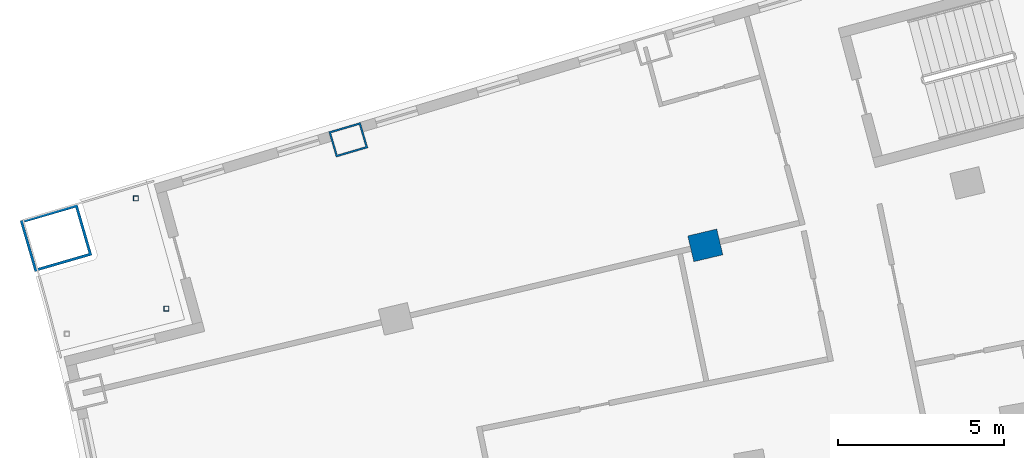
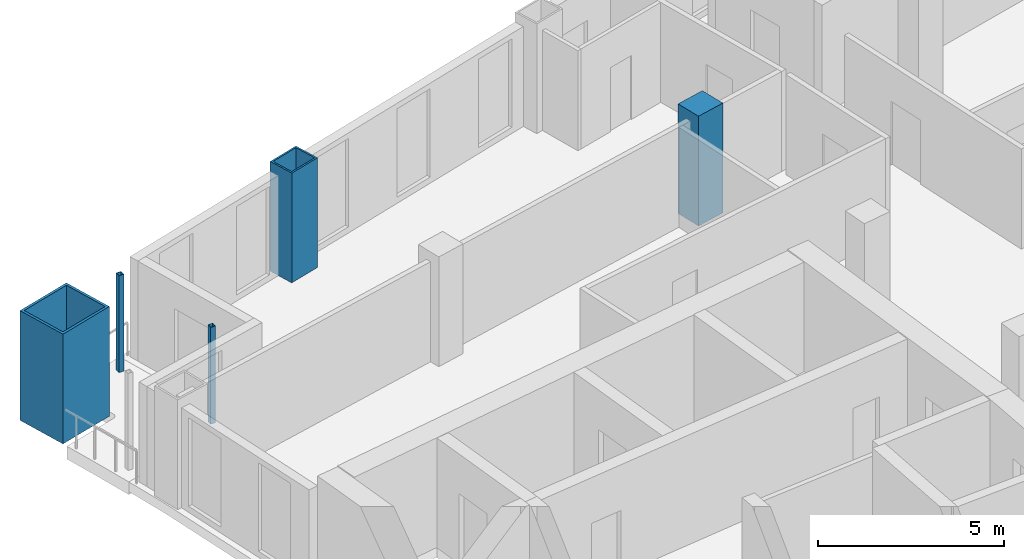
# One storey, part 7 of 20: 5 columns.
"""IFC4 building model written with IfcOpenShell, lengths in metres."""

import ifcopenshell
import ifcopenshell.guid

model = None  # the IFC model being written
_history = None  # IfcOwnerHistory: only IFC2X3 demands one
_inside = {}  # id of a spatial element -> (the spatial element, [elements in it])
_under = {}  # id of a project, library or spatial element -> (it, [spatial elements below it])
_declared = {}  # id of a project -> (the project, [libraries it declares])
_typed = {}  # id of a type object -> (the type object, [elements of that type])
_made_of = {}  # id of a material, layer set ... -> (it, [elements and type objects made of it])


def new_model(schema):
    """Start an empty IFC model of exactly this schema.

    Asked for "IFC4X3", IfcOpenShell would pick the latest addendum, in which some entities
    have other attributes; the version numbers below select the first issue.
    IFC2X3 requires an IfcOwnerHistory on every rooted entity: one is made here for all.
    """
    global model, _history
    if schema == "IFC4X3":
        model = ifcopenshell.file(schema_version=(4, 3, 0, 0))
    else:
        model = ifcopenshell.file(schema=schema)
    _inside.clear()
    _under.clear()
    _declared.clear()
    _typed.clear()
    _made_of.clear()
    _history = None
    if model.schema == "IFC2X3":
        org = make("IfcOrganization", Name="unknown")
        user = make(
            "IfcPersonAndOrganization",
            ThePerson=make("IfcPerson", FamilyName="unknown"),
            TheOrganization=org,
        )
        app = make(
            "IfcApplication",
            ApplicationDeveloper=org,
            Version="unknown",
            ApplicationFullName="unknown",
            ApplicationIdentifier="unknown",
        )
        _history = make(
            "IfcOwnerHistory",
            OwningUser=user,
            OwningApplication=app,
            ChangeAction="ADDED",
            CreationDate=0,
        )
    return model


def make(cls, **values):
    """One entity of the class cls with the attributes given. An attribute that is None is left unset."""
    return model.create_entity(
        cls, **{name: value for name, value in values.items() if value is not None}
    )


def rooted(cls, **values):
    """An entity with a GlobalId (a new one), such as an element, a storey or a relation."""
    return make(cls, GlobalId=ifcopenshell.guid.new(), OwnerHistory=_history, **values)


def si_unit(unit_type, name, prefix=None):
    """IfcSIUnit, for example si_unit("LENGTHUNIT", "METRE", prefix="MILLI")."""
    return make("IfcSIUnit", UnitType=unit_type, Prefix=prefix, Name=name)


def assignment(units):
    """IfcUnitAssignment: the units of a project."""
    return None if units is None else make("IfcUnitAssignment", Units=units)


def point(xyz):
    """IfcCartesianPoint."""
    return None if xyz is None else make("IfcCartesianPoint", Coordinates=xyz)


def direction(xyz):
    """IfcDirection."""
    return None if xyz is None else make("IfcDirection", DirectionRatios=xyz)


def frame(location, z_axis=None, x_axis=None):
    """IfcAxis2Placement3D, a coordinate frame: its origin and axes. An axis left out is left unset."""
    return make(
        "IfcAxis2Placement3D",
        Location=point(location),
        Axis=direction(z_axis),
        RefDirection=direction(x_axis),
    )


def frame_2d(location, x_axis=None):
    """IfcAxis2Placement2D, a coordinate frame in the plane: its origin and x axis."""
    return make(
        "IfcAxis2Placement2D", Location=point(location), RefDirection=direction(x_axis)
    )


def origin():
    """The frame at (0, 0, 0) with its axes left unset."""
    return frame((0.0, 0.0, 0.0))


def origin_2d():
    """The frame at (0, 0) in the plane with its x axis left unset."""
    return frame_2d((0.0, 0.0))


def place(relative_to, where):
    """IfcLocalPlacement: puts the frame where relative to a parent placement (None: the world)."""
    return make(
        "IfcLocalPlacement", PlacementRelTo=relative_to, RelativePlacement=where
    )


def context(
    kind, dimensions, precision=None, world=None, true_north=None, identifier=None
):
    """IfcGeometricRepresentationContext, for example the 3D "Model" context."""
    return make(
        "IfcGeometricRepresentationContext",
        ContextIdentifier=identifier,
        ContextType=kind,
        CoordinateSpaceDimension=dimensions,
        Precision=precision,
        WorldCoordinateSystem=world,
        TrueNorth=true_north,
    )


def subcontext(parent, identifier, kind, view, scale=None):
    """IfcGeometricRepresentationSubContext, for example "Body" below "Model"."""
    return make(
        "IfcGeometricRepresentationSubContext",
        ContextIdentifier=identifier,
        ContextType=kind,
        ParentContext=parent,
        TargetScale=scale,
        TargetView=view,
    )


def project(units=None, contexts=None):
    """IfcProject with its units and contexts."""
    return rooted(
        "IfcProject",
        Name="project",
        RepresentationContexts=contexts,
        UnitsInContext=assignment(units),
    )


def spatial(cls, under=None, at=None, **own):
    """A site, building, storey or space (cls), placed at a placement, below another one or the project."""
    s = rooted(cls, ObjectPlacement=at, **own)
    if under is not None:
        _under.setdefault(under.id(), (under, []))[1].append(s)
    return s


def profile(cls, at=None, kind="AREA", **sizes):
    """A parametric profile (cls). Its sizes go by their IFC names, for example OverallWidth=200.0."""
    return make(cls, ProfileType=kind, Position=at, **sizes)


def rectangle(**sizes):
    """IfcRectangleProfileDef."""
    return profile("IfcRectangleProfileDef", **sizes)


def hollow_rectangle(**sizes):
    """IfcRectangleHollowProfileDef."""
    return profile("IfcRectangleHollowProfileDef", **sizes)


def extrude(swept, where, along, depth):
    """IfcExtrudedAreaSolid: the profile swept, set in the frame where, extruded along a direction by depth."""
    return make(
        "IfcExtrudedAreaSolid",
        SweptArea=swept,
        Position=where,
        ExtrudedDirection=direction(along),
        Depth=depth,
    )


def shape(context_of_items, identifier, shape_type, items):
    """IfcShapeRepresentation: the items that make up one representation, for example the "Body"."""
    return make(
        "IfcShapeRepresentation",
        ContextOfItems=context_of_items,
        RepresentationIdentifier=identifier,
        RepresentationType=shape_type,
        Items=items,
    )


def material(Name=None, Category=None):
    """IfcMaterial."""
    return make("IfcMaterial", Name=Name, Category=Category)


def material_profile(
    of_material, cross_section, Name=None, Category=None, Priority=None
):
    """IfcMaterialProfile: a cross section and its material."""
    return make(
        "IfcMaterialProfile",
        Name=Name,
        Material=of_material,
        Profile=cross_section,
        Priority=Priority,
        Category=Category,
    )


def profile_set(profiles, Name=None, composite=None):
    """IfcMaterialProfileSet."""
    return make(
        "IfcMaterialProfileSet",
        Name=Name,
        MaterialProfiles=profiles,
        CompositeProfile=composite,
    )


def made_of(thing, what):
    """Note that an element or type object is made of a material, layer set ...; save() writes the relation."""
    if what is not None:
        _made_of.setdefault(what.id(), (what, []))[1].append(thing)
    return thing


def type_object(cls, material=None, **own):
    """A type object (cls), such as IfcWallType, which elements share."""
    return made_of(rooted(cls, **own), material)


def element(
    cls,
    number,
    at=None,
    inside=None,
    cuts=None,
    type_object=None,
    material=None,
    context=None,
    identifier="Body",
    shape_type=None,
    held_by="IfcProductDefinitionShape",
    body=None,
    shapes=None,
    **own,
):
    """One element of the class cls, such as IfcWall. Its Tag is "e" and its number.

    at: its placement. inside: the storey or other place that contains it. cuts: it is an
    opening in that element (IfcRelVoidsElement). A single representation is given by context,
    identifier, shape_type and body (its items); several are given by shapes. held_by: the class
    of the entity that holds the representations. save() writes the other relations.
    """
    e = rooted(cls, Tag="e%d" % number, ObjectPlacement=at, **own)
    if body is not None:
        shapes = [shape(context, identifier, shape_type, body)]
    if shapes is not None:
        e.Representation = make(held_by, Representations=shapes)
    if inside is not None:
        _inside.setdefault(inside.id(), (inside, []))[1].append(e)
    if cuts is not None:
        rooted(
            "IfcRelVoidsElement", RelatingBuildingElement=cuts, RelatedOpeningElement=e
        )
    if type_object is not None:
        _typed.setdefault(type_object.id(), (type_object, []))[1].append(e)
    return made_of(e, material)


def aggregate(whole, parts):
    """IfcRelAggregates: a whole, such as a stair, and the parts it consists of."""
    return rooted("IfcRelAggregates", RelatingObject=whole, RelatedObjects=parts)


def save(model, path):
    """Write the relations noted so far, then the file.

    IfcRelAggregates (storeys below a building ...), IfcRelContainedInSpatialStructure (elements
    in a storey), IfcRelDefinesByType, IfcRelAssociatesMaterial and IfcRelDeclares: one each for
    every whole, place, type object, material and project.
    """
    for whole, parts in _under.values():
        aggregate(whole, parts)
    for where, things in _inside.values():
        rooted(
            "IfcRelContainedInSpatialStructure",
            RelatedElements=things,
            RelatingStructure=where,
        )
    for kind, things in _typed.values():
        rooted("IfcRelDefinesByType", RelatedObjects=things, RelatingType=kind)
    for what, things in _made_of.values():
        rooted("IfcRelAssociatesMaterial", RelatedObjects=things, RelatingMaterial=what)
    for by, libraries in _declared.values():
        rooted("IfcRelDeclares", RelatingContext=by, RelatedDefinitions=libraries)
    model.write(path)


model = new_model("IFC4")

# Units and contexts
model_context = context("Model", 3, precision=1e-05, world=origin(), true_north=direction((0.0, 1.0)))
body_context = subcontext(model_context, "Body", "Model", "MODEL_VIEW")
ifc_project = project(units=[si_unit("LENGTHUNIT", "METRE"), si_unit("AREAUNIT", "SQUARE_METRE"), si_unit("VOLUMEUNIT", "CUBIC_METRE"), si_unit("PLANEANGLEUNIT", "RADIAN"), si_unit("MASSUNIT", "GRAM", prefix="KILO")], contexts=[model_context])

# Site, building, storey
site_placement = place(None, origin())
site = spatial("IfcSite", under=ifc_project, at=site_placement, CompositionType="ELEMENT")
building_placement = place(site_placement, origin())
building = spatial("IfcBuilding", under=site, at=building_placement, Name="Alderwake Tower", CompositionType="ELEMENT")
storey_placement = place(building_placement, frame((0.0, 0.0, 142.39990234375)))
storey = spatial("IfcBuildingStorey", under=building, at=storey_placement, Name="L34", CompositionType="ELEMENT", Elevation=142.39990234375)

# Columns
ifc_material_1 = material(Name="Steel ASTM A572 Grade 50 concrete filled C70/85", Category="concrete")
ifc_material_profile_1 = material_profile(ifc_material_1, hollow_rectangle(XDim=0.800048828125, YDim=1.0, WallThickness=0.054931640625, at=origin_2d()), Name="BOX 1000X800X55")
ifc_profile_set_1 = profile_set([ifc_material_profile_1], Name="Steel ASTM A572 Grade 50 concrete filled C70/85")
column_type_1 = type_object("IfcColumnType", Name="End column Z3", PredefinedType="COLUMN", material=ifc_profile_set_1)
column_1_placement = place(storey_placement, frame((21.885498046875, 90.96240234375, 0.0), z_axis=(0.0, 0.0, 1.0), x_axis=(-0.282132160283, 0.95937554906, 0.0)))
element("IfcColumn", 1, at=column_1_placement, inside=storey, type_object=column_type_1, Name="Column R12-C1", PredefinedType="COLUMN", context=body_context, shape_type="SweptSolid", body=[
    extrude(hollow_rectangle(XDim=0.800048828125, YDim=1.0, WallThickness=0.054931640625, at=origin_2d()), origin(), (0.0, 0.0, 1.0), 3.60009765625),
])
ifc_material_2 = material(Name="Concrete C70/85", Category="concrete")
ifc_material_profile_2 = material_profile(ifc_material_2, rectangle(XDim=0.800048828125, YDim=0.89990234375, at=origin_2d()), Name="RC 900X800")
ifc_profile_set_2 = profile_set([ifc_material_profile_2], Name="Concrete C70/85")
column_type_2 = type_object("IfcColumnType", Name="Interior column Z3", PredefinedType="COLUMN", material=ifc_profile_set_2)
column_2_placement = place(storey_placement, frame((32.661865234375, 87.775390625, 0.0), z_axis=(0.0, 0.0, 1.0), x_axis=(-0.231221547198, 0.972901123502, 0.0)))
element("IfcColumn", 2, at=column_2_placement, inside=storey, type_object=column_type_2, Name="Column R11-C2", PredefinedType="COLUMN", context=body_context, shape_type="SweptSolid", body=[
    extrude(rectangle(XDim=0.800048828125, YDim=0.89990234375, at=origin_2d()), origin(), (0.0, 0.0, 1.0), 3.60009765625),
])
ifc_material_3 = material(Name="Steel ASTM A500 Grade C", Category="steel")
ifc_material_profile_3 = material_profile(ifc_material_3, hollow_rectangle(XDim=0.15234375, YDim=0.15234375, WallThickness=0.0087890625, at=origin_2d()), Name="HSS6X6X3/8")
ifc_profile_set_3 = profile_set([ifc_material_profile_3], Name="Steel ASTM A500 Grade C")
column_type_3 = type_object("IfcColumnType", Name="Light post HSS6X6X3/8", PredefinedType="COLUMN", material=ifc_profile_set_3)
for number, where, z_axis, x_axis, name in (
    (3, (15.47412109375, 89.194091796875, 0.0), (0.0, 0.0, 1.0), (1.0, 0.0, 0.0), "Terrace post RN2"),
    (4, (16.39501953125, 85.864013671875, 0.0), (0.0, 0.0, 1.0), (1.0, 0.0, 0.0), "Terrace post RN3"),
):
    element("IfcColumn", number, at=place(storey_placement, frame(where, z_axis=z_axis, x_axis=x_axis)), inside=storey, type_object=column_type_3, Name=name, PredefinedType="COLUMN", context=body_context, shape_type="SweptSolid", body=[
        extrude(hollow_rectangle(XDim=0.15234375, YDim=0.15234375, WallThickness=0.0087890625, at=origin_2d()), origin(), (0.0, 0.0, 1.0), 3.18017578125),
    ])
ifc_material_4 = material(Name="Steel ASTM A572 Grade 50 concrete filled C70/85", Category="concrete")
ifc_material_profile_4 = material_profile(ifc_material_4, hollow_rectangle(XDim=1.60009765625, YDim=1.800048828125, WallThickness=0.080078125, at=origin_2d()), Name="BOX 1800X1600X80")
ifc_profile_set_4 = profile_set([ifc_material_profile_4], Name="Steel ASTM A572 Grade 50 concrete filled C70/85")
column_type_4 = type_object("IfcColumnType", Name="Mega column Z3", PredefinedType="COLUMN", material=ifc_profile_set_4)
column_3_placement = place(storey_placement, frame((13.06298828125, 87.99755859375, 0.0), z_axis=(0.0, 0.0, 1.0), x_axis=(-0.278612301868, 0.960403657452, 0.0)))
element("IfcColumn", 5, at=column_3_placement, inside=storey, type_object=column_type_4, Name="Column R12-C0", PredefinedType="COLUMN", context=body_context, shape_type="SweptSolid", body=[
    extrude(hollow_rectangle(XDim=1.60009765625, YDim=1.800048828125, WallThickness=0.080078125, at=origin_2d()), origin(), (0.0, 0.0, 1.0), 3.60009765625),
])

save(model, "model.ifc")
